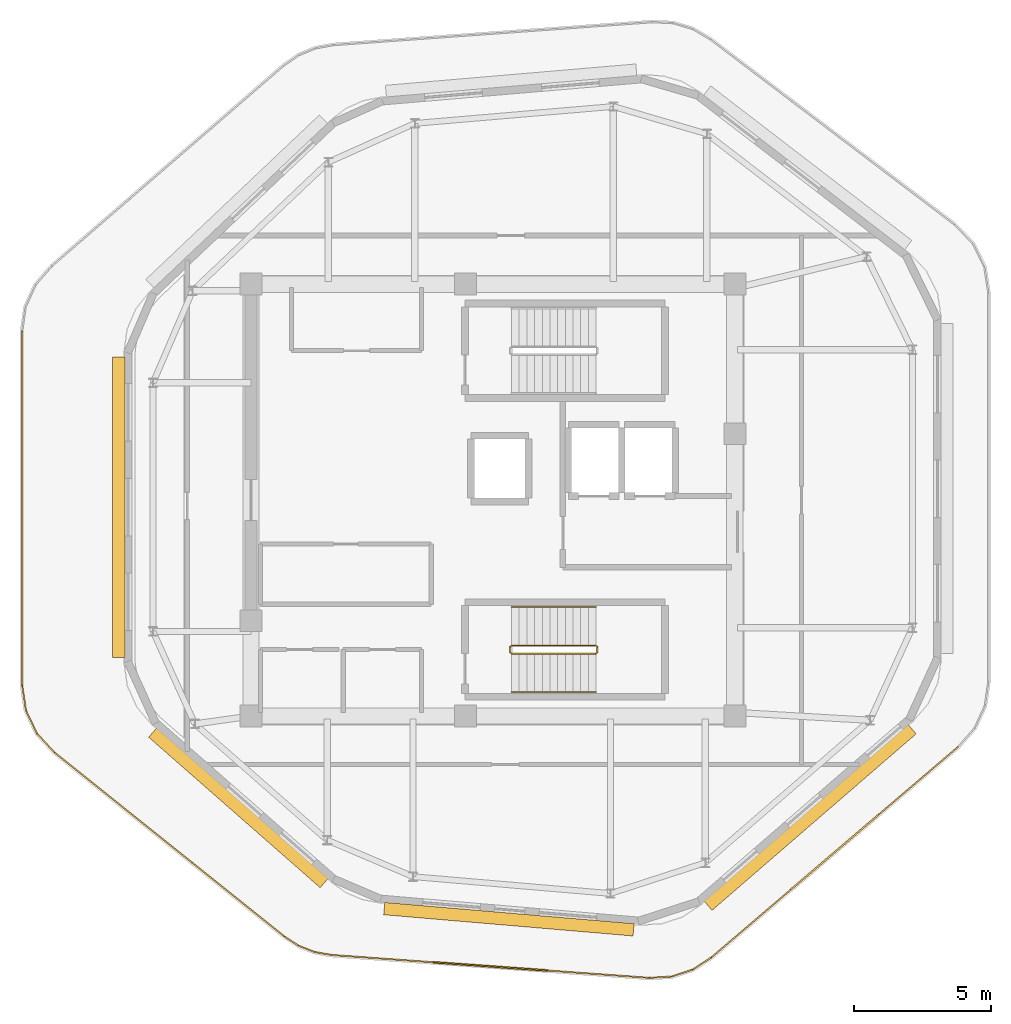
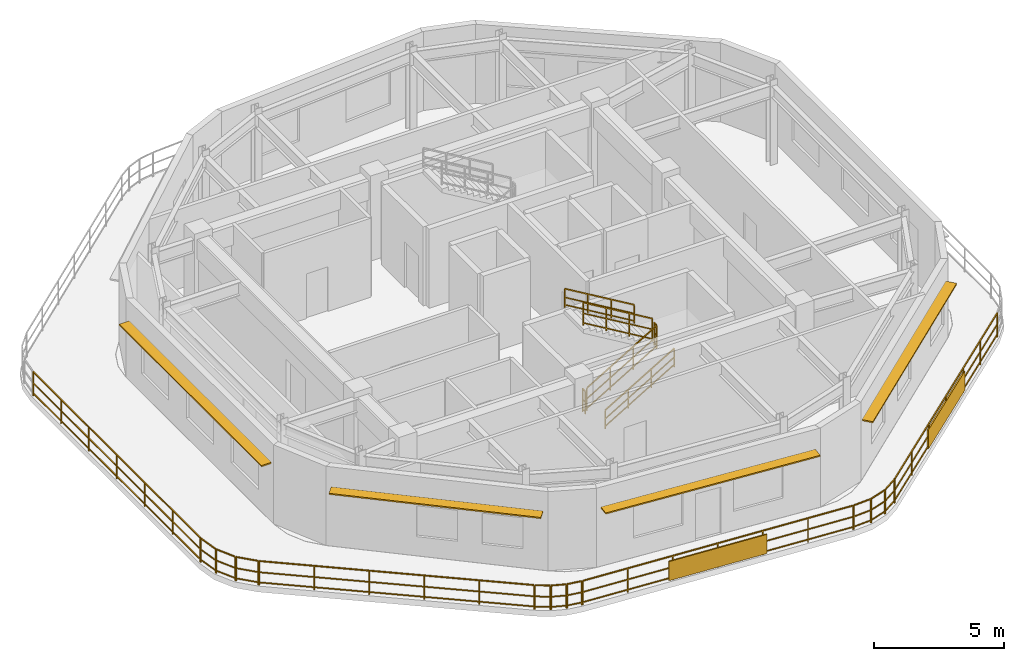
# One storey, part 5 of 7: 19 railings, 6 shading devices.
"""IFC4 building model written with IfcOpenShell, lengths in metres."""

import ifcopenshell
import ifcopenshell.guid

model = None  # the IFC model being written
_history = None  # IfcOwnerHistory: only IFC2X3 demands one
_inside = {}  # id of a spatial element -> (the spatial element, [elements in it])
_under = {}  # id of a project, library or spatial element -> (it, [spatial elements below it])
_declared = {}  # id of a project -> (the project, [libraries it declares])
_typed = {}  # id of a type object -> (the type object, [elements of that type])
_made_of = {}  # id of a material, layer set ... -> (it, [elements and type objects made of it])


def new_model(schema):
    """Start an empty IFC model of exactly this schema.

    Asked for "IFC4X3", IfcOpenShell would pick the latest addendum, in which some entities
    have other attributes; the version numbers below select the first issue.
    IFC2X3 requires an IfcOwnerHistory on every rooted entity: one is made here for all.
    """
    global model, _history
    if schema == "IFC4X3":
        model = ifcopenshell.file(schema_version=(4, 3, 0, 0))
    else:
        model = ifcopenshell.file(schema=schema)
    _inside.clear()
    _under.clear()
    _declared.clear()
    _typed.clear()
    _made_of.clear()
    _history = None
    if model.schema == "IFC2X3":
        org = make("IfcOrganization", Name="unknown")
        user = make(
            "IfcPersonAndOrganization",
            ThePerson=make("IfcPerson", FamilyName="unknown"),
            TheOrganization=org,
        )
        app = make(
            "IfcApplication",
            ApplicationDeveloper=org,
            Version="unknown",
            ApplicationFullName="unknown",
            ApplicationIdentifier="unknown",
        )
        _history = make(
            "IfcOwnerHistory",
            OwningUser=user,
            OwningApplication=app,
            ChangeAction="ADDED",
            CreationDate=0,
        )
    return model


def make(cls, **values):
    """One entity of the class cls with the attributes given. An attribute that is None is left unset."""
    return model.create_entity(
        cls, **{name: value for name, value in values.items() if value is not None}
    )


def rooted(cls, **values):
    """An entity with a GlobalId (a new one), such as an element, a storey or a relation."""
    return make(cls, GlobalId=ifcopenshell.guid.new(), OwnerHistory=_history, **values)


def si_unit(unit_type, name, prefix=None):
    """IfcSIUnit, for example si_unit("LENGTHUNIT", "METRE", prefix="MILLI")."""
    return make("IfcSIUnit", UnitType=unit_type, Prefix=prefix, Name=name)


def assignment(units):
    """IfcUnitAssignment: the units of a project."""
    return None if units is None else make("IfcUnitAssignment", Units=units)


def point(xyz):
    """IfcCartesianPoint."""
    return None if xyz is None else make("IfcCartesianPoint", Coordinates=xyz)


def direction(xyz):
    """IfcDirection."""
    return None if xyz is None else make("IfcDirection", DirectionRatios=xyz)


def frame(location, z_axis=None, x_axis=None):
    """IfcAxis2Placement3D, a coordinate frame: its origin and axes. An axis left out is left unset."""
    return make(
        "IfcAxis2Placement3D",
        Location=point(location),
        Axis=direction(z_axis),
        RefDirection=direction(x_axis),
    )


def frame_2d(location, x_axis=None):
    """IfcAxis2Placement2D, a coordinate frame in the plane: its origin and x axis."""
    return make(
        "IfcAxis2Placement2D", Location=point(location), RefDirection=direction(x_axis)
    )


def origin():
    """The frame at (0, 0, 0) with its axes left unset."""
    return frame((0.0, 0.0, 0.0))


def origin_2d():
    """The frame at (0, 0) in the plane with its x axis left unset."""
    return frame_2d((0.0, 0.0))


def place(relative_to, where):
    """IfcLocalPlacement: puts the frame where relative to a parent placement (None: the world)."""
    return make(
        "IfcLocalPlacement", PlacementRelTo=relative_to, RelativePlacement=where
    )


def context(
    kind, dimensions, precision=None, world=None, true_north=None, identifier=None
):
    """IfcGeometricRepresentationContext, for example the 3D "Model" context."""
    return make(
        "IfcGeometricRepresentationContext",
        ContextIdentifier=identifier,
        ContextType=kind,
        CoordinateSpaceDimension=dimensions,
        Precision=precision,
        WorldCoordinateSystem=world,
        TrueNorth=true_north,
    )


def subcontext(parent, identifier, kind, view, scale=None):
    """IfcGeometricRepresentationSubContext, for example "Body" below "Model"."""
    return make(
        "IfcGeometricRepresentationSubContext",
        ContextIdentifier=identifier,
        ContextType=kind,
        ParentContext=parent,
        TargetScale=scale,
        TargetView=view,
    )


def project(units=None, contexts=None):
    """IfcProject with its units and contexts."""
    return rooted(
        "IfcProject",
        Name="project",
        RepresentationContexts=contexts,
        UnitsInContext=assignment(units),
    )


def spatial(cls, under=None, at=None, **own):
    """A site, building, storey or space (cls), placed at a placement, below another one or the project."""
    s = rooted(cls, ObjectPlacement=at, **own)
    if under is not None:
        _under.setdefault(under.id(), (under, []))[1].append(s)
    return s


def profile(cls, at=None, kind="AREA", **sizes):
    """A parametric profile (cls). Its sizes go by their IFC names, for example OverallWidth=200.0."""
    return make(cls, ProfileType=kind, Position=at, **sizes)


def rectangle(**sizes):
    """IfcRectangleProfileDef."""
    return profile("IfcRectangleProfileDef", **sizes)


def extrude(swept, where, along, depth):
    """IfcExtrudedAreaSolid: the profile swept, set in the frame where, extruded along a direction by depth."""
    return make(
        "IfcExtrudedAreaSolid",
        SweptArea=swept,
        Position=where,
        ExtrudedDirection=direction(along),
        Depth=depth,
    )


def shape(context_of_items, identifier, shape_type, items):
    """IfcShapeRepresentation: the items that make up one representation, for example the "Body"."""
    return make(
        "IfcShapeRepresentation",
        ContextOfItems=context_of_items,
        RepresentationIdentifier=identifier,
        RepresentationType=shape_type,
        Items=items,
    )


def material(Name=None, Category=None):
    """IfcMaterial."""
    return make("IfcMaterial", Name=Name, Category=Category)


def layer(
    of_material, thickness, ventilated=None, Name=None, Category=None, Priority=None
):
    """IfcMaterialLayer: one layer of a wall or slab, of a material (None: an air gap)."""
    return make(
        "IfcMaterialLayer",
        Material=of_material,
        LayerThickness=thickness,
        IsVentilated=ventilated,
        Name=Name,
        Category=Category,
        Priority=Priority,
    )


def layer_set(layers, Name=None):
    """IfcMaterialLayerSet."""
    return make("IfcMaterialLayerSet", MaterialLayers=layers, LayerSetName=Name)


def made_of(thing, what):
    """Note that an element or type object is made of a material, layer set ...; save() writes the relation."""
    if what is not None:
        _made_of.setdefault(what.id(), (what, []))[1].append(thing)
    return thing


def type_object(cls, material=None, **own):
    """A type object (cls), such as IfcWallType, which elements share."""
    return made_of(rooted(cls, **own), material)


def element(
    cls,
    number,
    at=None,
    inside=None,
    cuts=None,
    type_object=None,
    material=None,
    context=None,
    identifier="Body",
    shape_type=None,
    held_by="IfcProductDefinitionShape",
    body=None,
    shapes=None,
    **own,
):
    """One element of the class cls, such as IfcWall. Its Tag is "e" and its number.

    at: its placement. inside: the storey or other place that contains it. cuts: it is an
    opening in that element (IfcRelVoidsElement). A single representation is given by context,
    identifier, shape_type and body (its items); several are given by shapes. held_by: the class
    of the entity that holds the representations. save() writes the other relations.
    """
    e = rooted(cls, Tag="e%d" % number, ObjectPlacement=at, **own)
    if body is not None:
        shapes = [shape(context, identifier, shape_type, body)]
    if shapes is not None:
        e.Representation = make(held_by, Representations=shapes)
    if inside is not None:
        _inside.setdefault(inside.id(), (inside, []))[1].append(e)
    if cuts is not None:
        rooted(
            "IfcRelVoidsElement", RelatingBuildingElement=cuts, RelatedOpeningElement=e
        )
    if type_object is not None:
        _typed.setdefault(type_object.id(), (type_object, []))[1].append(e)
    return made_of(e, material)


def aggregate(whole, parts):
    """IfcRelAggregates: a whole, such as a stair, and the parts it consists of."""
    return rooted("IfcRelAggregates", RelatingObject=whole, RelatedObjects=parts)


def save(model, path):
    """Write the relations noted so far, then the file.

    IfcRelAggregates (storeys below a building ...), IfcRelContainedInSpatialStructure (elements
    in a storey), IfcRelDefinesByType, IfcRelAssociatesMaterial and IfcRelDeclares: one each for
    every whole, place, type object, material and project.
    """
    for whole, parts in _under.values():
        aggregate(whole, parts)
    for where, things in _inside.values():
        rooted(
            "IfcRelContainedInSpatialStructure",
            RelatedElements=things,
            RelatingStructure=where,
        )
    for kind, things in _typed.values():
        rooted("IfcRelDefinesByType", RelatedObjects=things, RelatingType=kind)
    for what, things in _made_of.values():
        rooted("IfcRelAssociatesMaterial", RelatedObjects=things, RelatingMaterial=what)
    for by, libraries in _declared.values():
        rooted("IfcRelDeclares", RelatingContext=by, RelatedDefinitions=libraries)
    model.write(path)


model = new_model("IFC4")

# Units and contexts
model_context = context("Model", 3, precision=1e-05, world=origin(), true_north=direction((0.0, 1.0)))
body_context = subcontext(model_context, "Body", "Model", "MODEL_VIEW")
ifc_project = project(units=[si_unit("LENGTHUNIT", "METRE"), si_unit("AREAUNIT", "SQUARE_METRE"), si_unit("VOLUMEUNIT", "CUBIC_METRE"), si_unit("PLANEANGLEUNIT", "RADIAN"), si_unit("MASSUNIT", "GRAM", prefix="KILO")], contexts=[model_context])

# Site, building, storey
site_placement = place(None, origin())
site = spatial("IfcSite", under=ifc_project, at=site_placement, CompositionType="ELEMENT")
building_placement = place(site_placement, origin())
building = spatial("IfcBuilding", under=site, at=building_placement, Name="Zulverin Broadcast Headquarters", CompositionType="ELEMENT")
storey_placement = place(building_placement, frame((0.0, 0.0, 329.39990234375)))
storey = spatial("IfcBuildingStorey", under=building, at=storey_placement, Name="C5", CompositionType="ELEMENT", Elevation=329.39990234375)

# Railings
ifc_material_1 = material(Name="Brushed stainless steel & laminated glass balustrade", Category="steel")
railing_type_1 = type_object("IfcRailingType", Name="RL-GUARD-1150", PredefinedType="GUARDRAIL", material=ifc_material_1)
railing_1_placement = place(storey_placement, frame((31.825927734375, 9.296630859375, 0.0)))
element("IfcRailing", 1, at=railing_1_placement, inside=storey, type_object=railing_type_1, Name="C5 Stepped Crown Terrace Perimeter Balustrade Segment 01", PredefinedType="GUARDRAIL", context=body_context, shape_type="SweptSolid", body=[
    extrude(rectangle(XDim=0.048095703125, YDim=0.048095703125, at=origin_2d()), frame((0.0, 0.0, 1.1259765625), z_axis=(-0.780668575102, 0.624945258281, 0.0), x_axis=(-0.624945258281, -0.780668575102, 0.0)), (0.0, 0.0, 1.0), 10.7080078125),
    extrude(rectangle(XDim=0.0419921875, YDim=0.0419921875, at=origin_2d()), frame((0.0, 0.0, 0.597900390625), z_axis=(-0.780668575102, 0.624945258281, 0.0), x_axis=(-0.624945258281, -0.780668575102, 0.0)), (0.0, 0.0, 1.0), 10.7080078125),
    extrude(rectangle(XDim=0.0419921875, YDim=0.0419921875, at=origin_2d()), frame((0.0, 0.0, 0.1201171875), z_axis=(-0.780668575102, 0.624945258281, 0.0), x_axis=(-0.624945258281, -0.780668575102, 0.0)), (0.0, 0.0, 1.0), 10.7080078125),
    extrude(rectangle(XDim=0.0419921875, YDim=0.0419921875, at=origin_2d()), origin(), (0.0, 0.0, 1.0), 1.101806640625),
    extrude(rectangle(XDim=0.0419921875, YDim=0.0419921875, at=origin_2d()), frame((-1.671875, 1.33837890625, 0.0)), (0.0, 0.0, 1.0), 1.101806640625),
    extrude(rectangle(XDim=0.0419921875, YDim=0.0419921875, at=origin_2d()), frame((-3.34375, 2.6767578125, 0.0)), (0.0, 0.0, 1.0), 1.101806640625),
    extrude(rectangle(XDim=0.0419921875, YDim=0.0419921875, at=origin_2d()), frame((-5.015625, 4.01513671875, 0.0)), (0.0, 0.0, 1.0), 1.101806640625),
    extrude(rectangle(XDim=0.0419921875, YDim=0.0419921875, at=origin_2d()), frame((-6.6875, 5.353515625, 0.0)), (0.0, 0.0, 1.0), 1.101806640625),
    extrude(rectangle(XDim=0.0419921875, YDim=0.0419921875, at=origin_2d()), frame((-8.359375, 6.69189453125, 0.0)), (0.0, 0.0, 1.0), 1.101806640625),
])
railing_2_placement = place(storey_placement, frame((23.444580078125, 16.0087890625, 0.0)))
element("IfcRailing", 2, at=railing_2_placement, inside=storey, type_object=railing_type_1, Name="C5 Stepped Crown Terrace Perimeter Balustrade Segment 02", PredefinedType="GUARDRAIL", context=body_context, shape_type="SweptSolid", body=[
    extrude(rectangle(XDim=0.048095703125, YDim=0.048095703125, at=origin_2d()), frame((0.0, 0.0, 1.1259765625), z_axis=(-0.67888552558, 0.73424413049, 0.0), x_axis=(-0.73424413049, -0.67888552558, 0.0)), (0.0, 0.0, 1.0), 0.904052734375),
    extrude(rectangle(XDim=0.0419921875, YDim=0.0419921875, at=origin_2d()), frame((0.0, 0.0, 0.597900390625), z_axis=(-0.67888552558, 0.73424413049, 0.0), x_axis=(-0.73424413049, -0.67888552558, 0.0)), (0.0, 0.0, 1.0), 0.904052734375),
    extrude(rectangle(XDim=0.0419921875, YDim=0.0419921875, at=origin_2d()), frame((0.0, 0.0, 0.1201171875), z_axis=(-0.67888552558, 0.73424413049, 0.0), x_axis=(-0.73424413049, -0.67888552558, 0.0)), (0.0, 0.0, 1.0), 0.904052734375),
    extrude(rectangle(XDim=0.0419921875, YDim=0.0419921875, at=origin_2d()), origin(), (0.0, 0.0, 1.0), 1.101806640625),
    extrude(rectangle(XDim=0.0419921875, YDim=0.0419921875, at=origin_2d()), frame((-0.61376953125, 0.663818359375, 0.0)), (0.0, 0.0, 1.0), 1.101806640625),
])
railing_3_placement = place(storey_placement, frame((22.814208984375, 16.697021484375, 0.0)))
element("IfcRailing", 3, at=railing_3_placement, inside=storey, type_object=railing_type_1, Name="C5 Stepped Crown Terrace Perimeter Balustrade Segment 03", PredefinedType="GUARDRAIL", context=body_context, shape_type="SweptSolid", body=[
    extrude(rectangle(XDim=0.048095703125, YDim=0.048095703125, at=origin_2d()), frame((0.0, 0.0, 1.1259765625), z_axis=(-0.433128791284, 0.901332042125, 0.0), x_axis=(-0.901332042125, -0.433128791284, 0.0)), (0.0, 0.0, 1.0), 0.89794921875),
    extrude(rectangle(XDim=0.0419921875, YDim=0.0419921875, at=origin_2d()), frame((0.0, 0.0, 0.597900390625), z_axis=(-0.433128791284, 0.901332042125, 0.0), x_axis=(-0.901332042125, -0.433128791284, 0.0)), (0.0, 0.0, 1.0), 0.89794921875),
    extrude(rectangle(XDim=0.0419921875, YDim=0.0419921875, at=origin_2d()), frame((0.0, 0.0, 0.1201171875), z_axis=(-0.433128791284, 0.901332042125, 0.0), x_axis=(-0.901332042125, -0.433128791284, 0.0)), (0.0, 0.0, 1.0), 0.89794921875),
    extrude(rectangle(XDim=0.0419921875, YDim=0.0419921875, at=origin_2d()), origin(), (0.0, 0.0, 1.0), 1.101806640625),
    extrude(rectangle(XDim=0.0419921875, YDim=0.0419921875, at=origin_2d()), frame((-0.388916015625, 0.809326171875, 0.0)), (0.0, 0.0, 1.0), 1.101806640625),
])
railing_4_placement = place(storey_placement, frame((22.416748046875, 17.53466796875, 0.0)))
element("IfcRailing", 4, at=railing_4_placement, inside=storey, type_object=railing_type_1, Name="C5 Stepped Crown Terrace Perimeter Balustrade Segment 04", PredefinedType="GUARDRAIL", context=body_context, shape_type="SweptSolid", body=[
    extrude(rectangle(XDim=0.048095703125, YDim=0.048095703125, at=origin_2d()), frame((0.0, 0.0, 1.1259765625), z_axis=(-0.148789395925, 0.988868907217, 0.0), x_axis=(-0.988868907217, -0.148789395925, 0.0)), (0.0, 0.0, 1.0), 0.904052734375),
    extrude(rectangle(XDim=0.0419921875, YDim=0.0419921875, at=origin_2d()), frame((0.0, 0.0, 0.597900390625), z_axis=(-0.148789395925, 0.988868907217, 0.0), x_axis=(-0.988868907217, -0.148789395925, 0.0)), (0.0, 0.0, 1.0), 0.904052734375),
    extrude(rectangle(XDim=0.0419921875, YDim=0.0419921875, at=origin_2d()), frame((0.0, 0.0, 0.1201171875), z_axis=(-0.148789395925, 0.988868907217, 0.0), x_axis=(-0.988868907217, -0.148789395925, 0.0)), (0.0, 0.0, 1.0), 0.904052734375),
    extrude(rectangle(XDim=0.0419921875, YDim=0.0419921875, at=origin_2d()), origin(), (0.0, 0.0, 1.0), 1.101806640625),
    extrude(rectangle(XDim=0.0419921875, YDim=0.0419921875, at=origin_2d()), frame((-0.134521484375, 0.89404296875, 0.0)), (0.0, 0.0, 1.0), 1.101806640625),
])
railing_5_placement = place(storey_placement, frame((22.280029296875, 18.45849609375, 0.0)))
element("IfcRailing", 5, at=railing_5_placement, inside=storey, type_object=railing_type_1, Name="C5 Stepped Crown Terrace Perimeter Balustrade Segment 05", PredefinedType="GUARDRAIL", context=body_context, shape_type="SweptSolid", body=[
    extrude(rectangle(XDim=0.048095703125, YDim=0.048095703125, at=origin_2d()), frame((0.0, 0.0, 1.1259765625), z_axis=(0.0, 1.0, 0.0), x_axis=(-1.0, 0.0, 0.0)), (0.0, 0.0, 1.0), 12.893310546875),
    extrude(rectangle(XDim=0.0419921875, YDim=0.0419921875, at=origin_2d()), frame((0.0, 0.0, 0.597900390625), z_axis=(0.0, 1.0, 0.0), x_axis=(-1.0, 0.0, 0.0)), (0.0, 0.0, 1.0), 12.893310546875),
    extrude(rectangle(XDim=0.0419921875, YDim=0.0419921875, at=origin_2d()), frame((0.0, 0.0, 0.1201171875), z_axis=(0.0, 1.0, 0.0), x_axis=(-1.0, 0.0, 0.0)), (0.0, 0.0, 1.0), 12.893310546875),
    extrude(rectangle(XDim=0.0419921875, YDim=0.0419921875, at=origin_2d()), origin(), (0.0, 0.0, 1.0), 1.101806640625),
    extrude(rectangle(XDim=0.0419921875, YDim=0.0419921875, at=origin_2d()), frame((0.0, 2.14892578125, 0.0)), (0.0, 0.0, 1.0), 1.101806640625),
    extrude(rectangle(XDim=0.0419921875, YDim=0.0419921875, at=origin_2d()), frame((0.0, 4.2978515625, 0.0)), (0.0, 0.0, 1.0), 1.101806640625),
    extrude(rectangle(XDim=0.0419921875, YDim=0.0419921875, at=origin_2d()), frame((0.0, 6.44677734375, 0.0)), (0.0, 0.0, 1.0), 1.101806640625),
    extrude(rectangle(XDim=0.0419921875, YDim=0.0419921875, at=origin_2d()), frame((0.0, 8.595458984375, 0.0)), (0.0, 0.0, 1.0), 1.101806640625),
    extrude(rectangle(XDim=0.0419921875, YDim=0.0419921875, at=origin_2d()), frame((0.0, 10.744384765625, 0.0)), (0.0, 0.0, 1.0), 1.101806640625),
    extrude(rectangle(XDim=0.0419921875, YDim=0.0419921875, at=origin_2d()), frame((0.0, 12.893310546875, 0.0)), (0.0, 0.0, 1.0), 1.101806640625),
])
railing_6_placement = place(storey_placement, frame((56.40966796875, 16.193359375, 0.0)))
element("IfcRailing", 6, at=railing_6_placement, inside=storey, type_object=railing_type_1, Name="C5 Stepped Crown Terrace Perimeter Balustrade Segment 25", PredefinedType="GUARDRAIL", context=body_context, shape_type="SweptSolid", body=[
    extrude(rectangle(XDim=0.048095703125, YDim=0.048095703125, at=origin_2d()), frame((0.0, 0.0, 1.1259765625), z_axis=(-0.760643912601, -0.649169344796, 0.0), x_axis=(0.649169344796, -0.760643912601, 0.0)), (0.0, 0.0, 1.0), 11.811279296875),
    extrude(rectangle(XDim=0.0419921875, YDim=0.0419921875, at=origin_2d()), frame((0.0, 0.0, 0.597900390625), z_axis=(-0.760643912601, -0.649169344796, 0.0), x_axis=(0.649169344796, -0.760643912601, 0.0)), (0.0, 0.0, 1.0), 11.811279296875),
    extrude(rectangle(XDim=0.0419921875, YDim=0.0419921875, at=origin_2d()), frame((0.0, 0.0, 0.1201171875), z_axis=(-0.760643912601, -0.649169344796, 0.0), x_axis=(0.649169344796, -0.760643912601, 0.0)), (0.0, 0.0, 1.0), 11.811279296875),
    extrude(rectangle(XDim=0.0419921875, YDim=0.0419921875, at=origin_2d()), origin(), (0.0, 0.0, 1.0), 1.101806640625),
    extrude(rectangle(XDim=0.0419921875, YDim=0.0419921875, at=origin_2d()), frame((-1.497314453125, -1.27783203125, 0.0)), (0.0, 0.0, 1.0), 1.101806640625),
    extrude(rectangle(XDim=0.0419921875, YDim=0.0419921875, at=origin_2d()), frame((-2.99462890625, -2.555908203125, 0.0)), (0.0, 0.0, 1.0), 1.101806640625),
    extrude(rectangle(XDim=0.0419921875, YDim=0.0419921875, at=origin_2d()), frame((-4.4921875, -3.833740234375, 0.0)), (0.0, 0.0, 1.0), 1.101806640625),
    extrude(rectangle(XDim=0.0419921875, YDim=0.0419921875, at=origin_2d()), frame((-5.989501953125, -5.111572265625, 0.0)), (0.0, 0.0, 1.0), 1.101806640625),
    extrude(rectangle(XDim=0.0419921875, YDim=0.0419921875, at=origin_2d()), frame((-7.48681640625, -6.3896484375, 0.0)), (0.0, 0.0, 1.0), 1.101806640625),
    extrude(rectangle(XDim=0.0419921875, YDim=0.0419921875, at=origin_2d()), frame((-8.984130859375, -7.66748046875, 0.0)), (0.0, 0.0, 1.0), 1.101806640625),
])
railing_7_placement = place(storey_placement, frame((47.401611328125, 8.5078125, 0.0)))
element("IfcRailing", 7, at=railing_7_placement, inside=storey, type_object=railing_type_1, Name="C5 Stepped Crown Terrace Perimeter Balustrade Segment 26", PredefinedType="GUARDRAIL", context=body_context, shape_type="SweptSolid", body=[
    extrude(rectangle(XDim=0.048095703125, YDim=0.048095703125, at=origin_2d()), frame((0.0, 0.0, 1.1259765625), z_axis=(-0.838286711407, -0.545229666727, 0.0), x_axis=(0.545229666727, -0.838286711407, 0.0)), (0.0, 0.0, 1.0), 0.7822265625),
    extrude(rectangle(XDim=0.0419921875, YDim=0.0419921875, at=origin_2d()), frame((0.0, 0.0, 0.597900390625), z_axis=(-0.838286711407, -0.545229666727, 0.0), x_axis=(0.545229666727, -0.838286711407, 0.0)), (0.0, 0.0, 1.0), 0.7822265625),
    extrude(rectangle(XDim=0.0419921875, YDim=0.0419921875, at=origin_2d()), frame((0.0, 0.0, 0.1201171875), z_axis=(-0.838286711407, -0.545229666727, 0.0), x_axis=(0.545229666727, -0.838286711407, 0.0)), (0.0, 0.0, 1.0), 0.7822265625),
    extrude(rectangle(XDim=0.0419921875, YDim=0.0419921875, at=origin_2d()), origin(), (0.0, 0.0, 1.0), 1.101806640625),
    extrude(rectangle(XDim=0.0419921875, YDim=0.0419921875, at=origin_2d()), frame((-0.65576171875, -0.426513671875, 0.0)), (0.0, 0.0, 1.0), 1.101806640625),
])
railing_8_placement = place(storey_placement, frame((46.718994140625, 8.068603515625, 0.0)))
element("IfcRailing", 8, at=railing_8_placement, inside=storey, type_object=railing_type_1, Name="C5 Stepped Crown Terrace Perimeter Balustrade Segment 27", PredefinedType="GUARDRAIL", context=body_context, shape_type="SweptSolid", body=[
    extrude(rectangle(XDim=0.048095703125, YDim=0.048095703125, at=origin_2d()), frame((0.0, 0.0, 1.1259765625), z_axis=(-0.95005704316, -0.312076296347, 0.0), x_axis=(0.312076296347, -0.95005704316, 0.0)), (0.0, 0.0, 1.0), 0.77685546875),
    extrude(rectangle(XDim=0.0419921875, YDim=0.0419921875, at=origin_2d()), frame((0.0, 0.0, 0.597900390625), z_axis=(-0.95005704316, -0.312076296347, 0.0), x_axis=(0.312076296347, -0.95005704316, 0.0)), (0.0, 0.0, 1.0), 0.77685546875),
    extrude(rectangle(XDim=0.0419921875, YDim=0.0419921875, at=origin_2d()), frame((0.0, 0.0, 0.1201171875), z_axis=(-0.95005704316, -0.312076296347, 0.0), x_axis=(0.312076296347, -0.95005704316, 0.0)), (0.0, 0.0, 1.0), 0.77685546875),
    extrude(rectangle(XDim=0.0419921875, YDim=0.0419921875, at=origin_2d()), origin(), (0.0, 0.0, 1.0), 1.101806640625),
    extrude(rectangle(XDim=0.0419921875, YDim=0.0419921875, at=origin_2d()), frame((-0.738037109375, -0.242431640625, 0.0)), (0.0, 0.0, 1.0), 1.101806640625),
])
railing_9_placement = place(storey_placement, frame((45.95166015625, 7.820556640625, 0.0)))
element("IfcRailing", 9, at=railing_9_placement, inside=storey, type_object=railing_type_1, Name="C5 Stepped Crown Terrace Perimeter Balustrade Segment 28", PredefinedType="GUARDRAIL", context=body_context, shape_type="SweptSolid", body=[
    extrude(rectangle(XDim=0.048095703125, YDim=0.048095703125, at=origin_2d()), frame((0.0, 0.0, 1.1259765625), z_axis=(-0.998331995129, -0.057734110378, 0.0), x_axis=(0.057734110378, -0.998331995129, 0.0)), (0.0, 0.0, 1.0), 0.7822265625),
    extrude(rectangle(XDim=0.0419921875, YDim=0.0419921875, at=origin_2d()), frame((0.0, 0.0, 0.597900390625), z_axis=(-0.998331995129, -0.057734110378, 0.0), x_axis=(0.057734110378, -0.998331995129, 0.0)), (0.0, 0.0, 1.0), 0.7822265625),
    extrude(rectangle(XDim=0.0419921875, YDim=0.0419921875, at=origin_2d()), frame((0.0, 0.0, 0.1201171875), z_axis=(-0.998331995129, -0.057734110378, 0.0), x_axis=(0.057734110378, -0.998331995129, 0.0)), (0.0, 0.0, 1.0), 0.7822265625),
    extrude(rectangle(XDim=0.0419921875, YDim=0.0419921875, at=origin_2d()), origin(), (0.0, 0.0, 1.0), 1.101806640625),
    extrude(rectangle(XDim=0.0419921875, YDim=0.0419921875, at=origin_2d()), frame((-0.781005859375, -0.045166015625, 0.0)), (0.0, 0.0, 1.0), 1.101806640625),
])
railing_10_placement = place(storey_placement, frame((45.140625, 7.775390625, 0.0)))
element("IfcRailing", 10, at=railing_10_placement, inside=storey, type_object=railing_type_1, Name="C5 Stepped Crown Terrace Perimeter Balustrade Segment 29", PredefinedType="GUARDRAIL", context=body_context, shape_type="SweptSolid", body=[
    extrude(rectangle(XDim=0.048095703125, YDim=0.048095703125, at=origin_2d()), frame((0.0, 0.0, 1.1259765625), z_axis=(-0.997420581793, 0.071778708648, 0.0), x_axis=(-0.071778708648, -0.997420581793, 0.0)), (0.0, 0.0, 1.0), 11.584716796875),
    extrude(rectangle(XDim=0.0419921875, YDim=0.0419921875, at=origin_2d()), frame((0.0, 0.0, 0.597900390625), z_axis=(-0.997420581793, 0.071778708648, 0.0), x_axis=(-0.071778708648, -0.997420581793, 0.0)), (0.0, 0.0, 1.0), 11.584716796875),
    extrude(rectangle(XDim=0.0419921875, YDim=0.0419921875, at=origin_2d()), frame((0.0, 0.0, 0.1201171875), z_axis=(-0.997420581793, 0.071778708648, 0.0), x_axis=(-0.071778708648, -0.997420581793, 0.0)), (0.0, 0.0, 1.0), 11.584716796875),
    extrude(rectangle(XDim=0.0419921875, YDim=0.0419921875, at=origin_2d()), origin(), (0.0, 0.0, 1.0), 1.101806640625),
    extrude(rectangle(XDim=0.0419921875, YDim=0.0419921875, at=origin_2d()), frame((-1.92578125, 0.138671875, 0.0)), (0.0, 0.0, 1.0), 1.101806640625),
    extrude(rectangle(XDim=0.0419921875, YDim=0.0419921875, at=origin_2d()), frame((-3.8515625, 0.277099609375, 0.0)), (0.0, 0.0, 1.0), 1.101806640625),
    extrude(rectangle(XDim=0.0419921875, YDim=0.0419921875, at=origin_2d()), frame((-5.77734375, 0.415771484375, 0.0)), (0.0, 0.0, 1.0), 1.101806640625),
    extrude(rectangle(XDim=0.0419921875, YDim=0.0419921875, at=origin_2d()), frame((-7.703369140625, 0.554443359375, 0.0)), (0.0, 0.0, 1.0), 1.101806640625),
    extrude(rectangle(XDim=0.0419921875, YDim=0.0419921875, at=origin_2d()), frame((-9.629150390625, 0.69287109375, 0.0)), (0.0, 0.0, 1.0), 1.101806640625),
    extrude(rectangle(XDim=0.0419921875, YDim=0.0419921875, at=origin_2d()), frame((-11.554931640625, 0.83154296875, 0.0)), (0.0, 0.0, 1.0), 1.101806640625),
])
railing_11_placement = place(storey_placement, frame((33.555908203125, 8.610595703125, 0.0)))
element("IfcRailing", 11, at=railing_11_placement, inside=storey, type_object=railing_type_1, Name="C5 Stepped Crown Terrace Perimeter Balustrade Segment 30", PredefinedType="GUARDRAIL", context=body_context, shape_type="SweptSolid", body=[
    extrude(rectangle(XDim=0.048095703125, YDim=0.048095703125, at=origin_2d()), frame((0.0, 0.0, 1.1259765625), z_axis=(-0.985226678871, 0.171255339308, 0.0), x_axis=(-0.171255339308, -0.985226678871, 0.0)), (0.0, 0.0, 1.0), 0.60009765625),
    extrude(rectangle(XDim=0.0419921875, YDim=0.0419921875, at=origin_2d()), frame((0.0, 0.0, 0.597900390625), z_axis=(-0.985226678871, 0.171255339308, 0.0), x_axis=(-0.171255339308, -0.985226678871, 0.0)), (0.0, 0.0, 1.0), 0.60009765625),
    extrude(rectangle(XDim=0.0419921875, YDim=0.0419921875, at=origin_2d()), frame((0.0, 0.0, 0.1201171875), z_axis=(-0.985226678871, 0.171255339308, 0.0), x_axis=(-0.171255339308, -0.985226678871, 0.0)), (0.0, 0.0, 1.0), 0.60009765625),
    extrude(rectangle(XDim=0.0419921875, YDim=0.0419921875, at=origin_2d()), origin(), (0.0, 0.0, 1.0), 1.101806640625),
    extrude(rectangle(XDim=0.0419921875, YDim=0.0419921875, at=origin_2d()), frame((-0.59130859375, 0.102783203125, 0.0)), (0.0, 0.0, 1.0), 1.101806640625),
])
railing_12_placement = place(storey_placement, frame((32.935791015625, 8.7216796875, 0.0)))
element("IfcRailing", 12, at=railing_12_placement, inside=storey, type_object=railing_type_1, Name="C5 Stepped Crown Terrace Perimeter Balustrade Segment 31", PredefinedType="GUARDRAIL", context=body_context, shape_type="SweptSolid", body=[
    extrude(rectangle(XDim=0.048095703125, YDim=0.048095703125, at=origin_2d()), frame((0.0, 0.0, 1.1259765625), z_axis=(-0.931079579351, 0.36481614125, 0.0), x_axis=(-0.36481614125, -0.931079579351, 0.0)), (0.0, 0.0, 1.0), 0.59619140625),
    extrude(rectangle(XDim=0.0419921875, YDim=0.0419921875, at=origin_2d()), frame((0.0, 0.0, 0.597900390625), z_axis=(-0.931079579351, 0.36481614125, 0.0), x_axis=(-0.36481614125, -0.931079579351, 0.0)), (0.0, 0.0, 1.0), 0.59619140625),
    extrude(rectangle(XDim=0.0419921875, YDim=0.0419921875, at=origin_2d()), frame((0.0, 0.0, 0.1201171875), z_axis=(-0.931079579351, 0.36481614125, 0.0), x_axis=(-0.36481614125, -0.931079579351, 0.0)), (0.0, 0.0, 1.0), 0.59619140625),
    extrude(rectangle(XDim=0.0419921875, YDim=0.0419921875, at=origin_2d()), origin(), (0.0, 0.0, 1.0), 1.101806640625),
    extrude(rectangle(XDim=0.0419921875, YDim=0.0419921875, at=origin_2d()), frame((-0.55517578125, 0.217529296875, 0.0)), (0.0, 0.0, 1.0), 1.101806640625),
])
railing_13_placement = place(storey_placement, frame((32.35400390625, 8.952880859375, 0.0)))
element("IfcRailing", 13, at=railing_13_placement, inside=storey, type_object=railing_type_1, Name="C5 Stepped Crown Terrace Perimeter Balustrade Segment 32", PredefinedType="GUARDRAIL", context=body_context, shape_type="SweptSolid", body=[
    extrude(rectangle(XDim=0.048095703125, YDim=0.048095703125, at=origin_2d()), frame((0.0, 0.0, 1.1259765625), z_axis=(-0.839362694002, 0.543571768874, 0.0), x_axis=(-0.543571768874, -0.839362694002, 0.0)), (0.0, 0.0, 1.0), 0.60009765625),
    extrude(rectangle(XDim=0.0419921875, YDim=0.0419921875, at=origin_2d()), frame((0.0, 0.0, 0.597900390625), z_axis=(-0.839362694002, 0.543571768874, 0.0), x_axis=(-0.543571768874, -0.839362694002, 0.0)), (0.0, 0.0, 1.0), 0.60009765625),
    extrude(rectangle(XDim=0.0419921875, YDim=0.0419921875, at=origin_2d()), frame((0.0, 0.0, 0.1201171875), z_axis=(-0.839362694002, 0.543571768874, 0.0), x_axis=(-0.543571768874, -0.839362694002, 0.0)), (0.0, 0.0, 1.0), 0.60009765625),
    extrude(rectangle(XDim=0.0419921875, YDim=0.0419921875, at=origin_2d()), origin(), (0.0, 0.0, 1.0), 1.101806640625),
    extrude(rectangle(XDim=0.0419921875, YDim=0.0419921875, at=origin_2d()), frame((-0.503662109375, 0.326171875, 0.0)), (0.0, 0.0, 1.0), 1.101806640625),
])
ifc_material_2 = material(Name="Painted galvanized steel tubular guardrail S355JR", Category="steel")
railing_type_2 = type_object("IfcRailingType", Name="RL-ST-GUARD", PredefinedType="GUARDRAIL", material=ifc_material_2)
railing_14_placement = place(storey_placement, frame((40.1298828125, 19.60009765625, 0.166748046875)))
element("IfcRailing", 14, at=railing_14_placement, inside=storey, type_object=railing_type_2, Name="C5 ST-2 stair guard 1", PredefinedType="GUARDRAIL", context=body_context, shape_type="SweptSolid", body=[
    extrude(rectangle(XDim=0.048095703125, YDim=0.048095703125, at=origin_2d()), frame((0.0, 0.0, 1.076171875), z_axis=(0.859308565015, 0.0, 0.511457515432), x_axis=(0.0, 1.0, 0.0)), (0.0, 0.0, 1.0), 3.58447265625),
    extrude(rectangle(XDim=0.0419921875, YDim=0.0419921875, at=origin_2d()), frame((0.0, 0.0, 0.572021484375), z_axis=(0.859308565015, 0.0, 0.511457515432), x_axis=(0.0, 1.0, 0.0)), (0.0, 0.0, 1.0), 3.58447265625),
    extrude(rectangle(XDim=0.0419921875, YDim=0.0419921875, at=origin_2d()), frame((0.0, 0.0, 0.1201171875), z_axis=(0.859308565015, 0.0, 0.511457515432), x_axis=(0.0, 1.0, 0.0)), (0.0, 0.0, 1.0), 3.58447265625),
    extrude(rectangle(XDim=0.0419921875, YDim=0.0419921875, at=origin_2d()), origin(), (0.0, 0.0, 1.0), 1.052001953125),
    extrude(rectangle(XDim=0.0419921875, YDim=0.0419921875, at=origin_2d()), frame((1.026611328125, 0.0, 0.611083984375)), (0.0, 0.0, 1.0), 1.052001953125),
    extrude(rectangle(XDim=0.0419921875, YDim=0.0419921875, at=origin_2d()), frame((2.053466796875, 0.0, 1.22216796875)), (0.0, 0.0, 1.0), 1.052001953125),
    extrude(rectangle(XDim=0.0419921875, YDim=0.0419921875, at=origin_2d()), frame((3.080078125, 0.0, 1.833251953125)), (0.0, 0.0, 1.0), 1.052001953125),
])
railing_15_placement = place(storey_placement, frame((43.260009765625, 19.64990234375, 2.0)))
element("IfcRailing", 15, at=railing_15_placement, inside=storey, type_object=railing_type_2, Name="C5 ST-2 stair guard 2", PredefinedType="GUARDRAIL", context=body_context, shape_type="SweptSolid", body=[
    extrude(rectangle(XDim=0.048095703125, YDim=0.048095703125, at=origin_2d()), frame((0.0, 0.0, 1.076171875), z_axis=(0.0, 1.0, 0.0), x_axis=(-1.0, 0.0, 0.0)), (0.0, 0.0, 1.0), 0.2001953125),
    extrude(rectangle(XDim=0.0419921875, YDim=0.0419921875, at=origin_2d()), frame((0.0, 0.0, 0.572021484375), z_axis=(0.0, 1.0, 0.0), x_axis=(-1.0, 0.0, 0.0)), (0.0, 0.0, 1.0), 0.2001953125),
    extrude(rectangle(XDim=0.0419921875, YDim=0.0419921875, at=origin_2d()), frame((0.0, 0.0, 0.1201171875), z_axis=(0.0, 1.0, 0.0), x_axis=(-1.0, 0.0, 0.0)), (0.0, 0.0, 1.0), 0.2001953125),
    extrude(rectangle(XDim=0.0419921875, YDim=0.0419921875, at=origin_2d()), origin(), (0.0, 0.0, 1.0), 1.052001953125),
    extrude(rectangle(XDim=0.0419921875, YDim=0.0419921875, at=origin_2d()), frame((0.0, 0.2001953125, 0.0)), (0.0, 0.0, 1.0), 1.052001953125),
])
railing_16_placement = place(storey_placement, frame((43.2099609375, 19.89990234375, 2.166748046875)))
element("IfcRailing", 16, at=railing_16_placement, inside=storey, type_object=railing_type_2, Name="C5 ST-2 stair guard 3", PredefinedType="GUARDRAIL", context=body_context, shape_type="SweptSolid", body=[
    extrude(rectangle(XDim=0.048095703125, YDim=0.048095703125, at=origin_2d()), frame((0.0, 0.0, 1.076171875), z_axis=(-0.859308565015, 0.0, 0.511457515432), x_axis=(0.0, -1.0, 0.0)), (0.0, 0.0, 1.0), 3.58447265625),
    extrude(rectangle(XDim=0.0419921875, YDim=0.0419921875, at=origin_2d()), frame((0.0, 0.0, 0.572021484375), z_axis=(-0.859308565015, 0.0, 0.511457515432), x_axis=(0.0, -1.0, 0.0)), (0.0, 0.0, 1.0), 3.58447265625),
    extrude(rectangle(XDim=0.0419921875, YDim=0.0419921875, at=origin_2d()), frame((0.0, 0.0, 0.1201171875), z_axis=(-0.859308565015, 0.0, 0.511457515432), x_axis=(0.0, -1.0, 0.0)), (0.0, 0.0, 1.0), 3.58447265625),
    extrude(rectangle(XDim=0.0419921875, YDim=0.0419921875, at=origin_2d()), origin(), (0.0, 0.0, 1.0), 1.052001953125),
    extrude(rectangle(XDim=0.0419921875, YDim=0.0419921875, at=origin_2d()), frame((-1.026611328125, 0.0, 0.611083984375)), (0.0, 0.0, 1.0), 1.052001953125),
    extrude(rectangle(XDim=0.0419921875, YDim=0.0419921875, at=origin_2d()), frame((-2.053466796875, 0.0, 1.22216796875)), (0.0, 0.0, 1.0), 1.052001953125),
    extrude(rectangle(XDim=0.0419921875, YDim=0.0419921875, at=origin_2d()), frame((-3.080078125, 0.0, 1.833251953125)), (0.0, 0.0, 1.0), 1.052001953125),
])
railing_17_placement = place(storey_placement, frame((40.080078125, 19.64990234375, 0.0)))
element("IfcRailing", 17, at=railing_17_placement, inside=storey, type_object=railing_type_2, Name="C5 ST-2 stair guard 4", PredefinedType="GUARDRAIL", context=body_context, shape_type="SweptSolid", body=[
    extrude(rectangle(XDim=0.048095703125, YDim=0.048095703125, at=origin_2d()), frame((0.0, 0.0, 1.076171875), z_axis=(0.0, 1.0, 0.0), x_axis=(-1.0, 0.0, 0.0)), (0.0, 0.0, 1.0), 0.2001953125),
    extrude(rectangle(XDim=0.0419921875, YDim=0.0419921875, at=origin_2d()), frame((0.0, 0.0, 0.572021484375), z_axis=(0.0, 1.0, 0.0), x_axis=(-1.0, 0.0, 0.0)), (0.0, 0.0, 1.0), 0.2001953125),
    extrude(rectangle(XDim=0.0419921875, YDim=0.0419921875, at=origin_2d()), frame((0.0, 0.0, 0.1201171875), z_axis=(0.0, 1.0, 0.0), x_axis=(-1.0, 0.0, 0.0)), (0.0, 0.0, 1.0), 0.2001953125),
    extrude(rectangle(XDim=0.0419921875, YDim=0.0419921875, at=origin_2d()), origin(), (0.0, 0.0, 1.0), 1.052001953125),
    extrude(rectangle(XDim=0.0419921875, YDim=0.0419921875, at=origin_2d()), frame((0.0, 0.2001953125, 0.0)), (0.0, 0.0, 1.0), 1.052001953125),
])
ifc_material_3 = material(Name="Brushed stainless steel 48 mm handrail", Category="steel")
railing_type_3 = type_object("IfcRailingType", Name="RL-ST-HAND", PredefinedType="HANDRAIL", material=ifc_material_3)
railing_18_placement = place(storey_placement, frame((40.1298828125, 18.199951171875, 0.166748046875)))
element("IfcRailing", 18, at=railing_18_placement, inside=storey, type_object=railing_type_3, Name="C5 ST-2 stair handrail 1", PredefinedType="HANDRAIL", context=body_context, shape_type="SweptSolid", body=[
    extrude(rectangle(XDim=0.048095703125, YDim=0.048095703125, at=origin_2d()), frame((0.0, 0.0, 0.8759765625), z_axis=(0.859308565015, 0.0, 0.511457515432), x_axis=(0.0, 1.0, 0.0)), (0.0, 0.0, 1.0), 3.58447265625),
    extrude(rectangle(XDim=0.0419921875, YDim=0.0419921875, at=origin_2d()), frame((0.0, 0.0, 0.468017578125), z_axis=(0.859308565015, 0.0, 0.511457515432), x_axis=(0.0, 1.0, 0.0)), (0.0, 0.0, 1.0), 3.58447265625),
    extrude(rectangle(XDim=0.0419921875, YDim=0.0419921875, at=origin_2d()), frame((0.0, 0.0, 0.1201171875), z_axis=(0.859308565015, 0.0, 0.511457515432), x_axis=(0.0, 1.0, 0.0)), (0.0, 0.0, 1.0), 3.58447265625),
    extrude(rectangle(XDim=0.0419921875, YDim=0.0419921875, at=origin_2d()), origin(), (0.0, 0.0, 1.0), 0.851806640625),
    extrude(rectangle(XDim=0.0419921875, YDim=0.0419921875, at=origin_2d()), frame((1.026611328125, 0.0, 0.611083984375)), (0.0, 0.0, 1.0), 0.851806640625),
    extrude(rectangle(XDim=0.0419921875, YDim=0.0419921875, at=origin_2d()), frame((2.053466796875, 0.0, 1.22216796875)), (0.0, 0.0, 1.0), 0.851806640625),
    extrude(rectangle(XDim=0.0419921875, YDim=0.0419921875, at=origin_2d()), frame((3.080078125, 0.0, 1.833251953125)), (0.0, 0.0, 1.0), 0.851806640625),
])
railing_19_placement = place(storey_placement, frame((43.2099609375, 21.300048828125, 2.166748046875)))
element("IfcRailing", 19, at=railing_19_placement, inside=storey, type_object=railing_type_3, Name="C5 ST-2 stair handrail 2", PredefinedType="HANDRAIL", context=body_context, shape_type="SweptSolid", body=[
    extrude(rectangle(XDim=0.048095703125, YDim=0.048095703125, at=origin_2d()), frame((0.0, 0.0, 0.8759765625), z_axis=(-0.859308565015, 0.0, 0.511457515432), x_axis=(0.0, -1.0, 0.0)), (0.0, 0.0, 1.0), 3.58447265625),
    extrude(rectangle(XDim=0.0419921875, YDim=0.0419921875, at=origin_2d()), frame((0.0, 0.0, 0.468017578125), z_axis=(-0.859308565015, 0.0, 0.511457515432), x_axis=(0.0, -1.0, 0.0)), (0.0, 0.0, 1.0), 3.58447265625),
    extrude(rectangle(XDim=0.0419921875, YDim=0.0419921875, at=origin_2d()), frame((0.0, 0.0, 0.1201171875), z_axis=(-0.859308565015, 0.0, 0.511457515432), x_axis=(0.0, -1.0, 0.0)), (0.0, 0.0, 1.0), 3.58447265625),
    extrude(rectangle(XDim=0.0419921875, YDim=0.0419921875, at=origin_2d()), origin(), (0.0, 0.0, 1.0), 0.851806640625),
    extrude(rectangle(XDim=0.0419921875, YDim=0.0419921875, at=origin_2d()), frame((-1.026611328125, 0.0, 0.611083984375)), (0.0, 0.0, 1.0), 0.851806640625),
    extrude(rectangle(XDim=0.0419921875, YDim=0.0419921875, at=origin_2d()), frame((-2.053466796875, 0.0, 1.22216796875)), (0.0, 0.0, 1.0), 0.851806640625),
    extrude(rectangle(XDim=0.0419921875, YDim=0.0419921875, at=origin_2d()), frame((-3.080078125, 0.0, 1.833251953125)), (0.0, 0.0, 1.0), 0.851806640625),
])

# Shading devices
ifc_material_4 = material(Name="Perforated pale-metal aluminium crown screen", Category="aluminium")
ifc_layer_1 = layer(ifc_material_4, 0.06005859375, Name="Perforated pale-metal aluminium crown screen", Category="aluminium")
ifc_layer_set_1 = layer_set([ifc_layer_1], Name="Perforated pale-metal aluminium crown screen")
shading_device_type_1 = type_object("IfcShadingDeviceType", Name="SHD-CRN-SCREEN", PredefinedType="USERDEFINED", material=ifc_layer_set_1)
for number, where, z_axis, x_axis, name in (
    (20, (39.36376953125, 8.191162109375, 0.020263671875), (0.0, 0.0, 1.0), (0.997420903458, -0.071774238726, 0.0), "C5 Stepped Crown Perforated Pale-Metal Screen 1"),
    (21, (51.917724609375, 12.35986328125, 0.020263671875), (0.0, 0.0, 1.0), (0.760640550609, 0.649173284085, 0.0), "C5 Stepped Crown Perforated Pale-Metal Screen 2"),
):
    element("IfcShadingDevice", number, at=place(storey_placement, frame(where, z_axis=z_axis, x_axis=x_axis)), inside=storey, type_object=shading_device_type_1, Name=name, ObjectType="SCREEN", PredefinedType="USERDEFINED", context=body_context, shape_type="SweptSolid", body=[
        extrude(rectangle(XDim=4.199951171875, YDim=0.06005859375, at=origin_2d()), origin(), (0.0, 0.0, 1.0), 0.89990234375),
    ])
ifc_material_5 = material(Name="Anodized pale-metal aluminium sunshade", Category="aluminium")
ifc_layer_2 = layer(ifc_material_5, 0.06005859375, Name="Anodized pale-metal aluminium sunshade", Category="aluminium")
ifc_layer_set_2 = layer_set([ifc_layer_2], Name="Anodized pale-metal aluminium sunshade")
shading_device_type_2 = type_object("IfcShadingDeviceType", Name="SS-01_PALE_METAL_ALUMINIUM_SUNSHADE", PredefinedType="USERDEFINED", material=ifc_layer_set_2)
shading_device_1_placement = place(storey_placement, frame((40.0322265625, 9.91259765625, 2.7099609375), z_axis=(0.0, 0.0, 1.0), x_axis=(0.996389439284, -0.084900443359, 0.0)))
element("IfcShadingDevice", 22, at=shading_device_1_placement, inside=storey, type_object=shading_device_type_2, Name="C5 Horizontal Pale-Metal Sunshade Band 1", ObjectType="SUNSHADE", PredefinedType="USERDEFINED", context=body_context, shape_type="SweptSolid", body=[
    extrude(rectangle(XDim=9.127685546875, YDim=0.449951171875, at=origin_2d()), origin(), (0.0, 0.0, 1.0), 0.06005859375),
])
shading_device_2_placement = place(storey_placement, frame((51.018310546875, 13.62548828125, 2.7099609375), z_axis=(0.0, 0.0, 1.0), x_axis=(0.756488475673, 0.654007023031, 0.0)))
element("IfcShadingDevice", 23, at=shading_device_2_placement, inside=storey, type_object=shading_device_type_2, Name="C5 Horizontal Pale-Metal Sunshade Band 2", ObjectType="SUNSHADE", PredefinedType="USERDEFINED", context=body_context, shape_type="SweptSolid", body=[
    extrude(rectangle(XDim=9.84375, YDim=0.449951171875, at=origin_2d()), origin(), (0.0, 0.0, 1.0), 0.06005859375),
])
shading_device_3_placement = place(storey_placement, frame((25.800048828125, 24.9423828125, 2.7099609375), z_axis=(0.0, 0.0, 1.0), x_axis=(0.0, -1.0, 0.0)))
element("IfcShadingDevice", 24, at=shading_device_3_placement, inside=storey, type_object=shading_device_type_2, Name="C5 Horizontal Pale-Metal Sunshade Band 7", ObjectType="SUNSHADE", PredefinedType="USERDEFINED", context=body_context, shape_type="SweptSolid", body=[
    extrude(rectangle(XDim=10.967041015625, YDim=0.449951171875, at=origin_2d()), origin(), (0.0, 0.0, 1.0), 0.06005859375),
])
shading_device_4_placement = place(storey_placement, frame((30.168212890625, 13.976806640625, 2.7099609375), z_axis=(0.0, 0.0, 1.0), x_axis=(0.751680978649, -0.659526880679, 0.0)))
element("IfcShadingDevice", 25, at=shading_device_4_placement, inside=storey, type_object=shading_device_type_2, Name="C5 Horizontal Pale-Metal Sunshade Band 8", ObjectType="SUNSHADE", PredefinedType="USERDEFINED", context=body_context, shape_type="SweptSolid", body=[
    extrude(rectangle(XDim=8.323486328125, YDim=0.449951171875, at=origin_2d()), origin(), (0.0, 0.0, 1.0), 0.06005859375),
])

save(model, "model.ifc")
